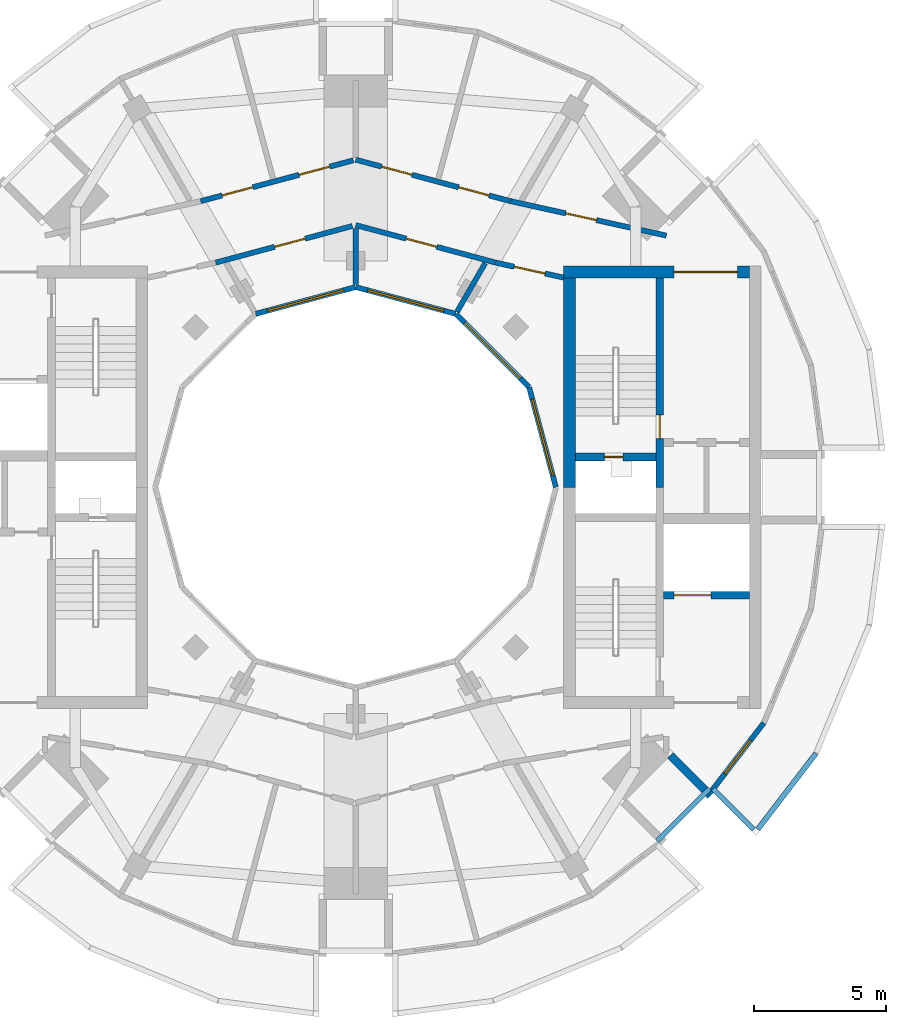
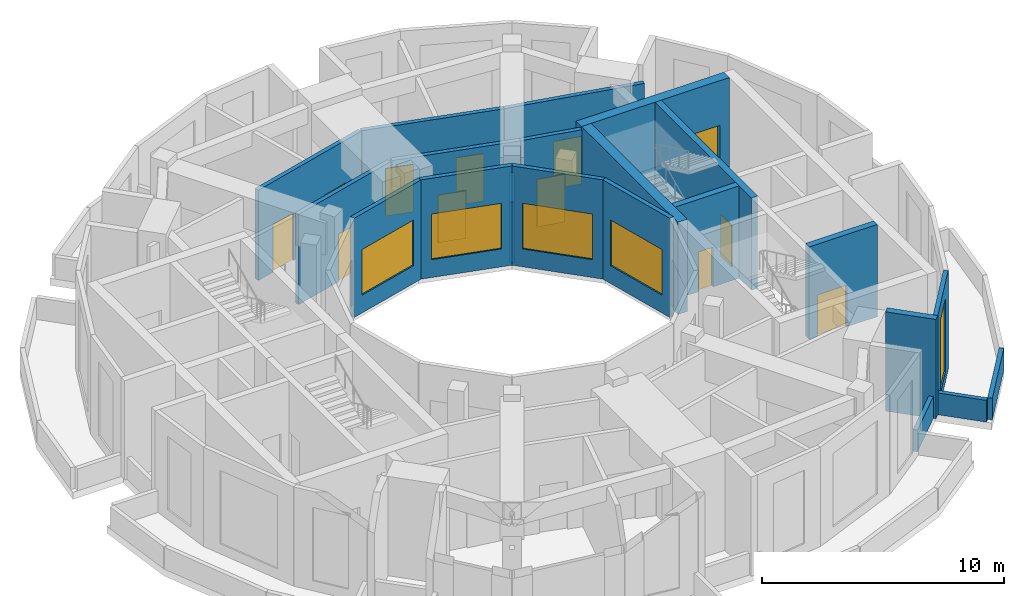
# One storey, part 5 of 8: 22 walls, 12 doors, 5 windows, 17 openings.
"""IFC4 building model written with IfcOpenShell, lengths in metres."""

import ifcopenshell
import ifcopenshell.guid

model = None  # the IFC model being written
_history = None  # IfcOwnerHistory: only IFC2X3 demands one
_inside = {}  # id of a spatial element -> (the spatial element, [elements in it])
_under = {}  # id of a project, library or spatial element -> (it, [spatial elements below it])
_declared = {}  # id of a project -> (the project, [libraries it declares])
_typed = {}  # id of a type object -> (the type object, [elements of that type])
_made_of = {}  # id of a material, layer set ... -> (it, [elements and type objects made of it])


def new_model(schema):
    """Start an empty IFC model of exactly this schema.

    Asked for "IFC4X3", IfcOpenShell would pick the latest addendum, in which some entities
    have other attributes; the version numbers below select the first issue.
    IFC2X3 requires an IfcOwnerHistory on every rooted entity: one is made here for all.
    """
    global model, _history
    if schema == "IFC4X3":
        model = ifcopenshell.file(schema_version=(4, 3, 0, 0))
    else:
        model = ifcopenshell.file(schema=schema)
    _inside.clear()
    _under.clear()
    _declared.clear()
    _typed.clear()
    _made_of.clear()
    _history = None
    if model.schema == "IFC2X3":
        org = make("IfcOrganization", Name="unknown")
        user = make(
            "IfcPersonAndOrganization",
            ThePerson=make("IfcPerson", FamilyName="unknown"),
            TheOrganization=org,
        )
        app = make(
            "IfcApplication",
            ApplicationDeveloper=org,
            Version="unknown",
            ApplicationFullName="unknown",
            ApplicationIdentifier="unknown",
        )
        _history = make(
            "IfcOwnerHistory",
            OwningUser=user,
            OwningApplication=app,
            ChangeAction="ADDED",
            CreationDate=0,
        )
    return model


def make(cls, **values):
    """One entity of the class cls with the attributes given. An attribute that is None is left unset."""
    return model.create_entity(
        cls, **{name: value for name, value in values.items() if value is not None}
    )


def rooted(cls, **values):
    """An entity with a GlobalId (a new one), such as an element, a storey or a relation."""
    return make(cls, GlobalId=ifcopenshell.guid.new(), OwnerHistory=_history, **values)


def si_unit(unit_type, name, prefix=None):
    """IfcSIUnit, for example si_unit("LENGTHUNIT", "METRE", prefix="MILLI")."""
    return make("IfcSIUnit", UnitType=unit_type, Prefix=prefix, Name=name)


def assignment(units):
    """IfcUnitAssignment: the units of a project."""
    return None if units is None else make("IfcUnitAssignment", Units=units)


def point(xyz):
    """IfcCartesianPoint."""
    return None if xyz is None else make("IfcCartesianPoint", Coordinates=xyz)


def direction(xyz):
    """IfcDirection."""
    return None if xyz is None else make("IfcDirection", DirectionRatios=xyz)


def frame(location, z_axis=None, x_axis=None):
    """IfcAxis2Placement3D, a coordinate frame: its origin and axes. An axis left out is left unset."""
    return make(
        "IfcAxis2Placement3D",
        Location=point(location),
        Axis=direction(z_axis),
        RefDirection=direction(x_axis),
    )


def frame_2d(location, x_axis=None):
    """IfcAxis2Placement2D, a coordinate frame in the plane: its origin and x axis."""
    return make(
        "IfcAxis2Placement2D", Location=point(location), RefDirection=direction(x_axis)
    )


def origin():
    """The frame at (0, 0, 0) with its axes left unset."""
    return frame((0.0, 0.0, 0.0))


def place(relative_to, where):
    """IfcLocalPlacement: puts the frame where relative to a parent placement (None: the world)."""
    return make(
        "IfcLocalPlacement", PlacementRelTo=relative_to, RelativePlacement=where
    )


def context(
    kind, dimensions, precision=None, world=None, true_north=None, identifier=None
):
    """IfcGeometricRepresentationContext, for example the 3D "Model" context."""
    return make(
        "IfcGeometricRepresentationContext",
        ContextIdentifier=identifier,
        ContextType=kind,
        CoordinateSpaceDimension=dimensions,
        Precision=precision,
        WorldCoordinateSystem=world,
        TrueNorth=true_north,
    )


def subcontext(parent, identifier, kind, view, scale=None):
    """IfcGeometricRepresentationSubContext, for example "Body" below "Model"."""
    return make(
        "IfcGeometricRepresentationSubContext",
        ContextIdentifier=identifier,
        ContextType=kind,
        ParentContext=parent,
        TargetScale=scale,
        TargetView=view,
    )


def project(units=None, contexts=None):
    """IfcProject with its units and contexts."""
    return rooted(
        "IfcProject",
        Name="project",
        RepresentationContexts=contexts,
        UnitsInContext=assignment(units),
    )


def spatial(cls, under=None, at=None, **own):
    """A site, building, storey or space (cls), placed at a placement, below another one or the project."""
    s = rooted(cls, ObjectPlacement=at, **own)
    if under is not None:
        _under.setdefault(under.id(), (under, []))[1].append(s)
    return s


def profile(cls, at=None, kind="AREA", **sizes):
    """A parametric profile (cls). Its sizes go by their IFC names, for example OverallWidth=200.0."""
    return make(cls, ProfileType=kind, Position=at, **sizes)


def rectangle(**sizes):
    """IfcRectangleProfileDef."""
    return profile("IfcRectangleProfileDef", **sizes)


def extrude(swept, where, along, depth):
    """IfcExtrudedAreaSolid: the profile swept, set in the frame where, extruded along a direction by depth."""
    return make(
        "IfcExtrudedAreaSolid",
        SweptArea=swept,
        Position=where,
        ExtrudedDirection=direction(along),
        Depth=depth,
    )


def shape(context_of_items, identifier, shape_type, items):
    """IfcShapeRepresentation: the items that make up one representation, for example the "Body"."""
    return make(
        "IfcShapeRepresentation",
        ContextOfItems=context_of_items,
        RepresentationIdentifier=identifier,
        RepresentationType=shape_type,
        Items=items,
    )


def material(Name=None, Category=None):
    """IfcMaterial."""
    return make("IfcMaterial", Name=Name, Category=Category)


def layer(
    of_material, thickness, ventilated=None, Name=None, Category=None, Priority=None
):
    """IfcMaterialLayer: one layer of a wall or slab, of a material (None: an air gap)."""
    return make(
        "IfcMaterialLayer",
        Material=of_material,
        LayerThickness=thickness,
        IsVentilated=ventilated,
        Name=Name,
        Category=Category,
        Priority=Priority,
    )


def layer_set(layers, Name=None):
    """IfcMaterialLayerSet."""
    return make("IfcMaterialLayerSet", MaterialLayers=layers, LayerSetName=Name)


def made_of(thing, what):
    """Note that an element or type object is made of a material, layer set ...; save() writes the relation."""
    if what is not None:
        _made_of.setdefault(what.id(), (what, []))[1].append(thing)
    return thing


def type_object(cls, material=None, **own):
    """A type object (cls), such as IfcWallType, which elements share."""
    return made_of(rooted(cls, **own), material)


def element(
    cls,
    number,
    at=None,
    inside=None,
    cuts=None,
    type_object=None,
    material=None,
    context=None,
    identifier="Body",
    shape_type=None,
    held_by="IfcProductDefinitionShape",
    body=None,
    shapes=None,
    **own,
):
    """One element of the class cls, such as IfcWall. Its Tag is "e" and its number.

    at: its placement. inside: the storey or other place that contains it. cuts: it is an
    opening in that element (IfcRelVoidsElement). A single representation is given by context,
    identifier, shape_type and body (its items); several are given by shapes. held_by: the class
    of the entity that holds the representations. save() writes the other relations.
    """
    e = rooted(cls, Tag="e%d" % number, ObjectPlacement=at, **own)
    if body is not None:
        shapes = [shape(context, identifier, shape_type, body)]
    if shapes is not None:
        e.Representation = make(held_by, Representations=shapes)
    if inside is not None:
        _inside.setdefault(inside.id(), (inside, []))[1].append(e)
    if cuts is not None:
        rooted(
            "IfcRelVoidsElement", RelatingBuildingElement=cuts, RelatedOpeningElement=e
        )
    if type_object is not None:
        _typed.setdefault(type_object.id(), (type_object, []))[1].append(e)
    return made_of(e, material)


def fill(opening, filler):
    """IfcRelFillsElement: the door or window that sits in an opening."""
    return rooted(
        "IfcRelFillsElement",
        RelatingOpeningElement=opening,
        RelatedBuildingElement=filler,
    )


def aggregate(whole, parts):
    """IfcRelAggregates: a whole, such as a stair, and the parts it consists of."""
    return rooted("IfcRelAggregates", RelatingObject=whole, RelatedObjects=parts)


def save(model, path):
    """Write the relations noted so far, then the file.

    IfcRelAggregates (storeys below a building ...), IfcRelContainedInSpatialStructure (elements
    in a storey), IfcRelDefinesByType, IfcRelAssociatesMaterial and IfcRelDeclares: one each for
    every whole, place, type object, material and project.
    """
    for whole, parts in _under.values():
        aggregate(whole, parts)
    for where, things in _inside.values():
        rooted(
            "IfcRelContainedInSpatialStructure",
            RelatedElements=things,
            RelatingStructure=where,
        )
    for kind, things in _typed.values():
        rooted("IfcRelDefinesByType", RelatedObjects=things, RelatingType=kind)
    for what, things in _made_of.values():
        rooted("IfcRelAssociatesMaterial", RelatedObjects=things, RelatingMaterial=what)
    for by, libraries in _declared.values():
        rooted("IfcRelDeclares", RelatingContext=by, RelatedDefinitions=libraries)
    model.write(path)


model = new_model("IFC4")

# Units and contexts
model_context = context("Model", 3, precision=1e-05, world=origin(), true_north=direction((0.0, 1.0)))
body_context = subcontext(model_context, "Body", "Model", "MODEL_VIEW")
ifc_project = project(units=[si_unit("LENGTHUNIT", "METRE"), si_unit("AREAUNIT", "SQUARE_METRE"), si_unit("VOLUMEUNIT", "CUBIC_METRE"), si_unit("PLANEANGLEUNIT", "RADIAN"), si_unit("MASSUNIT", "GRAM", prefix="KILO")], contexts=[model_context])

# Site, building, storey
site_placement = place(None, origin())
site = spatial("IfcSite", under=ifc_project, at=site_placement, CompositionType="ELEMENT")
building_placement = place(site_placement, origin())
building = spatial("IfcBuilding", under=site, at=building_placement, Name="Torre Brocal", CompositionType="ELEMENT")
storey_placement = place(building_placement, frame((0.0, 0.0, 328.10009765625)))
storey = spatial("IfcBuildingStorey", under=building, at=storey_placement, Name="L75", CompositionType="ELEMENT", Elevation=328.10009765625)

# Wall, opening, door
ifc_material_1 = material(Name="Concrete C50", Category="concrete")
ifc_layer_1 = layer(ifc_material_1, 0.300048828125)
ifc_layer_set_1 = layer_set([ifc_layer_1], Name="Concrete C50")
wall_type_1 = type_object("IfcWallType", Name="CORE WALL 300 C50 UNDER 350 SLAB", PredefinedType="SHEAR", material=ifc_layer_set_1)
wall_1_placement = place(storey_placement, frame((91.550048828125, 75.0, 0.0), z_axis=(0.0, 0.0, 1.0), x_axis=(0.0, 1.0, 0.0)))
wall_1 = element("IfcWall", 1, at=wall_1_placement, inside=storey, type_object=wall_type_1, Name="Wall CW300-50-S350", PredefinedType="SHEAR", context=body_context, shape_type="SweptSolid", body=[
    extrude(rectangle(XDim=7.949951171875, YDim=0.300048828125, at=frame_2d((3.97509765625, 0.0))), origin(), (0.0, 0.0, 1.0), 4.64990234375),
])
opening_1_placement = place(wall_1_placement, frame((1.85009765625, 0.0, 0.0)))
opening_1 = element("IfcOpeningElement", 2, at=opening_1_placement, cuts=wall_1, Name="Opening E-D02", PredefinedType="OPENING", context=body_context, shape_type="SweptSolid", body=[
    extrude(rectangle(XDim=0.89990234375, YDim=2.10009765625, at=frame_2d((0.449951171875, 1.050048828125))), frame((0.0, 0.159912109375, 0.0), z_axis=(0.0, -1.0, 0.0), x_axis=(1.0, 0.0, 0.0)), (0.0, 0.0, 1.0), 0.320068359375),
])
ifc_material_2 = material(Name="Steel A653", Category="steel")
door_type_1 = type_object("IfcDoorType", Name="STAIR DOOR FD120 900X2100", OperationType="SINGLE_SWING_RIGHT", PredefinedType="DOOR", material=ifc_material_2)
door_1_placement = place(opening_1_placement, origin())
door_1 = element("IfcDoor", 3, at=door_1_placement, inside=storey, type_object=door_type_1, Name="Door E-D02", OperationType="SINGLE_SWING_LEFT", OverallHeight=2.10009765625, OverallWidth=0.89990234375, PredefinedType="DOOR", context=body_context, shape_type="SweptSolid", body=[
    extrude(rectangle(XDim=0.89990234375, YDim=2.10009765625, at=frame_2d((0.449951171875, 1.050048828125))), frame((0.0, 0.02490234375, 0.0), z_axis=(0.0, -1.0, 0.0), x_axis=(1.0, 0.0, 0.0)), (0.0, 0.0, 1.0), 0.050048828125),
])
fill(opening_1, door_1)

wall_2_placement = place(storey_placement, frame((88.35009765625, 76.14990234375, 0.0), z_axis=(0.0, 0.0, 1.0), x_axis=(1.0, 0.0, 0.0)))
wall_2 = element("IfcWall", 4, at=wall_2_placement, inside=storey, type_object=wall_type_1, Name="Wall CW300-50-S350", PredefinedType="SHEAR", context=body_context, shape_type="SweptSolid", body=[
    extrude(rectangle(XDim=3.0498046875, YDim=0.300048828125, at=frame_2d((1.52490234375, 0.0))), origin(), (0.0, 0.0, 1.0), 4.64990234375),
])
opening_2_placement = place(wall_2_placement, frame((1.10009765625, 0.0, 0.0)))
opening_2 = element("IfcOpeningElement", 5, at=opening_2_placement, cuts=wall_2, Name="Opening E-D01", PredefinedType="OPENING", context=body_context, shape_type="SweptSolid", body=[
    extrude(rectangle(XDim=0.699951171875, YDim=2.0, at=frame_2d((0.35009765625, 1.0))), frame((0.0, 0.159912109375, 0.0), z_axis=(0.0, -1.0, 0.0), x_axis=(1.0, 0.0, 0.0)), (0.0, 0.0, 1.0), 0.320068359375),
])
ifc_material_3 = material(Name="Steel A653", Category="steel")
door_type_2 = type_object("IfcDoorType", Name="RISER DOOR FD120 700X2000", OperationType="SINGLE_SWING_LEFT", PredefinedType="DOOR", material=ifc_material_3)
door_2_placement = place(opening_2_placement, frame((0.699951171875, 0.0, 0.0), z_axis=(0.0, 0.0, 1.0), x_axis=(-1.0, 0.0, 0.0)))
door_2 = element("IfcDoor", 6, at=door_2_placement, inside=storey, type_object=door_type_2, Name="Door E-D01", OperationType="SINGLE_SWING_RIGHT", OverallHeight=2.0, OverallWidth=0.699951171875, PredefinedType="DOOR", context=body_context, shape_type="SweptSolid", body=[
    extrude(rectangle(XDim=0.699951171875, YDim=2.0, at=frame_2d((0.35009765625, 1.0))), frame((0.0, 0.02490234375, 0.0), z_axis=(0.0, -1.0, 0.0), x_axis=(1.0, 0.0, 0.0)), (0.0, 0.0, 1.0), 0.050048828125),
])
fill(opening_2, door_2)

wall_3_placement = place(storey_placement, frame((91.699951171875, 70.89990234375, 0.0), z_axis=(0.0, 0.0, 1.0), x_axis=(1.0, 0.0, 0.0)))
wall_3 = element("IfcWall", 7, at=wall_3_placement, inside=storey, type_object=wall_type_1, Name="Wall CW300-50-S350", PredefinedType="SHEAR", context=body_context, shape_type="SweptSolid", body=[
    extrude(rectangle(XDim=3.25, YDim=0.300048828125, at=frame_2d((1.625, 0.0))), origin(), (0.0, 0.0, 1.0), 4.64990234375),
])
opening_3_placement = place(wall_3_placement, frame((0.39990234375, 0.0, 0.0)))
opening_3 = element("IfcOpeningElement", 8, at=opening_3_placement, cuts=wall_3, Name="Opening LD14", PredefinedType="OPENING", context=body_context, shape_type="SweptSolid", body=[
    extrude(rectangle(XDim=1.39990234375, YDim=2.10009765625, at=frame_2d((0.699951171875, 1.050048828125))), frame((0.0, 0.159912109375, 0.0), z_axis=(0.0, -1.0, 0.0), x_axis=(1.0, 0.0, 0.0)), (0.0, 0.0, 1.0), 0.320068359375),
])
ifc_material_4 = material(Name="Stainless steel AISI 316", Category="steel")
door_type_3 = type_object("IfcDoorType", Name="LIFT LANDING DOOR 1400X2100", OperationType="DOUBLE_DOOR_SLIDING", PredefinedType="DOOR", material=ifc_material_4)
door_3_placement = place(opening_3_placement, origin())
door_3 = element("IfcDoor", 9, at=door_3_placement, inside=storey, type_object=door_type_3, Name="Door LD14", OperationType="DOUBLE_DOOR_SLIDING", OverallHeight=2.10009765625, OverallWidth=1.39990234375, PredefinedType="DOOR", context=body_context, shape_type="SweptSolid", body=[
    extrude(rectangle(XDim=1.39990234375, YDim=2.10009765625, at=frame_2d((0.699951171875, 1.050048828125))), frame((0.0, 0.02490234375, 0.0), z_axis=(0.0, -1.0, 0.0), x_axis=(1.0, 0.0, 0.0)), (0.0, 0.0, 1.0), 0.050048828125),
])
fill(opening_3, door_3)

ifc_material_5 = material(Name="Concrete C50", Category="concrete")
ifc_layer_2 = layer(ifc_material_5, 0.449951171875)
ifc_layer_set_2 = layer_set([ifc_layer_2], Name="Concrete C50")
wall_type_2 = type_object("IfcWallType", Name="CORE WALL 450 C50 UNDER 350 SLAB", PredefinedType="SHEAR", material=ifc_layer_set_2)
wall_4_placement = place(storey_placement, frame((87.89990234375, 83.175048828125, 0.0), z_axis=(0.0, 0.0, 1.0), x_axis=(1.0, 0.0, 0.0)))
wall_4 = element("IfcWall", 10, at=wall_4_placement, inside=storey, type_object=wall_type_2, Name="Wall CW450-50-S350", PredefinedType="SHEAR", context=body_context, shape_type="SweptSolid", body=[
    extrude(rectangle(XDim=7.050048828125, YDim=0.449951171875, at=frame_2d((3.52490234375, 0.0))), origin(), (0.0, 0.0, 1.0), 4.64990234375),
])
opening_4_placement = place(wall_4_placement, frame((4.199951171875, 0.0, 0.0)))
opening_4 = element("IfcOpeningElement", 11, at=opening_4_placement, cuts=wall_4, Name="Opening E-D23", PredefinedType="OPENING", context=body_context, shape_type="SweptSolid", body=[
    extrude(rectangle(XDim=2.39990234375, YDim=2.39990234375, at=frame_2d((1.199951171875, 1.199951171875))), frame((0.0, 0.23486328125, 0.0), z_axis=(0.0, -1.0, 0.0), x_axis=(1.0, 0.0, 0.0)), (0.0, 0.0, 1.0), 0.469970703125),
])
ifc_material_6 = material(Name="Steel A653", Category="steel")
door_type_4 = type_object("IfcDoorType", Name="DOUBLE FIRE DOOR FD90 2400X2400", OperationType="DOUBLE_DOOR_SINGLE_SWING", PredefinedType="DOOR", material=ifc_material_6)
door_4_placement = place(opening_4_placement, frame((2.39990234375, 0.0, 0.0), z_axis=(0.0, 0.0, 1.0), x_axis=(-1.0, 0.0, 0.0)))
door_4 = element("IfcDoor", 12, at=door_4_placement, inside=storey, type_object=door_type_4, Name="Door E-D23", OperationType="DOUBLE_DOOR_SINGLE_SWING", OverallHeight=2.39990234375, OverallWidth=2.39990234375, PredefinedType="DOOR", context=body_context, shape_type="SweptSolid", body=[
    extrude(rectangle(XDim=2.39990234375, YDim=2.39990234375, at=frame_2d((1.199951171875, 1.199951171875))), frame((0.0, 0.02490234375, 0.0), z_axis=(0.0, -1.0, 0.0), x_axis=(1.0, 0.0, 0.0)), (0.0, 0.0, 1.0), 0.050048828125),
])
fill(opening_4, door_4)

# Wall
wall_5_placement = place(storey_placement, frame((88.125, 75.0, 0.0), z_axis=(0.0, 0.0, 1.0), x_axis=(0.0, 1.0, 0.0)))
element("IfcWall", 13, at=wall_5_placement, inside=storey, type_object=wall_type_2, Name="Wall CW450-50-S350", PredefinedType="SHEAR", context=body_context, shape_type="SweptSolid", body=[
    extrude(rectangle(XDim=7.949951171875, YDim=0.449951171875, at=frame_2d((3.97509765625, 0.0))), origin(), (0.0, 0.0, 1.0), 4.64990234375),
])

# Wall, opening, window
ifc_material_7 = material(Name="Concrete C40", Category="concrete")
ifc_layer_3 = layer(ifc_material_7, 0.199951171875)
ifc_layer_set_3 = layer_set([ifc_layer_3], Name="Concrete C40")
wall_type_3 = type_object("IfcWallType", Name="LOUVRED PLANT WALL 200", PredefinedType="NOTDEFINED", material=ifc_layer_set_3)
wall_6_placement = place(storey_placement, frame((93.51611328125, 63.463623046875, 0.0), z_axis=(0.0, 0.0, 1.0), x_axis=(0.608780431243, 0.793338759003, 0.0)))
wall_6 = element("IfcWall", 14, at=wall_6_placement, inside=storey, type_object=wall_type_3, Name="LOUVRED PLANT WALL", PredefinedType="NOTDEFINED", context=body_context, shape_type="SweptSolid", body=[
    extrude(rectangle(XDim=3.2607421875, YDim=0.199951171875, at=frame_2d((1.63037109375, 0.0))), origin(), (0.0, 0.0, 1.0), 5.0),
])
opening_5_placement = place(wall_6_placement, frame((0.830322265625, 0.0, 0.5)))
opening_5 = element("IfcOpeningElement", 15, at=opening_5_placement, cuts=wall_6, Name="Opening LV-1600-3700", PredefinedType="OPENING", context=body_context, shape_type="SweptSolid", body=[
    extrude(rectangle(XDim=1.60009765625, YDim=3.699951171875, at=frame_2d((0.800048828125, 1.85009765625))), frame((0.0, 0.10986328125, 0.0), z_axis=(0.0, -1.0, 0.0), x_axis=(1.0, 0.0, 0.0)), (0.0, 0.0, 1.0), 0.219970703125),
])
ifc_material_8 = material(Name="Aluminium louvre", Category="aluminium")
window_type_1 = type_object("IfcWindowType", Name="LOUVRE PANEL 1600X3700", PartitioningType="SINGLE_PANEL", PredefinedType="USERDEFINED", material=ifc_material_8)
window_1_placement = place(opening_5_placement, origin())
window_1 = element("IfcWindow", 16, at=window_1_placement, inside=storey, type_object=window_type_1, Name="LOUVRE PANEL 1600X3700", ObjectType="LOUVRE", OverallHeight=3.699951171875, OverallWidth=1.60009765625, PartitioningType="SINGLE_PANEL", PredefinedType="USERDEFINED", context=body_context, shape_type="SweptSolid", body=[
    extrude(rectangle(XDim=1.60009765625, YDim=3.699951171875, at=frame_2d((0.800048828125, 1.85009765625))), frame((0.0, 0.030029296875, 0.0), z_axis=(0.0, -1.0, 0.0), x_axis=(1.0, 0.0, 0.0)), (0.0, 0.0, 1.0), 0.06005859375),
])
fill(opening_5, window_1)

# Walls
ifc_material_9 = material(Name="Concrete C50", Category="concrete")
ifc_layer_4 = layer(ifc_material_9, 0.300048828125)
ifc_layer_set_4 = layer_set([ifc_layer_4], Name="Concrete C50")
wall_type_4 = type_object("IfcWallType", Name="NOTCH RETURN WALL 300 C50", PredefinedType="NOTDEFINED", material=ifc_layer_set_4)
wall_7_placement = place(storey_placement, frame((91.9501953125, 64.817626953125, 0.0), z_axis=(0.0, 0.0, 1.0), x_axis=(0.707106781187, -0.707106781187, 0.0)))
element("IfcWall", 17, at=wall_7_placement, inside=storey, type_object=wall_type_4, Name="NOTCH RETURN WALL", PredefinedType="NOTDEFINED", context=body_context, shape_type="SweptSolid", body=[
    extrude(rectangle(XDim=2.16552734375, YDim=0.300048828125, at=frame_2d((1.082763671875, 0.0))), origin(), (0.0, 0.0, 1.0), 5.0),
])
ifc_material_10 = material(Name="Concrete C40", Category="concrete")
ifc_layer_5 = layer(ifc_material_10, 0.199951171875)
ifc_layer_set_5 = layer_set([ifc_layer_5], Name="Concrete C40")
wall_type_5 = type_object("IfcWallType", Name="PARAPET WALL 200 THICK 1100 HIGH 4", PredefinedType="PARAPET", material=ifc_layer_set_5)
wall_8_placement = place(storey_placement, frame((97.4833984375, 64.890869140625, 0.0), z_axis=(0.0, 0.0, 1.0), x_axis=(-0.608739102217, -0.793370471742, 0.0)))
element("IfcWall", 18, at=wall_8_placement, inside=storey, type_object=wall_type_5, Name="PARAPET WALL 8", PredefinedType="PARAPET", context=body_context, shape_type="SweptSolid", body=[
    extrude(rectangle(XDim=3.63232421875, YDim=0.199951171875, at=frame_2d((1.816162109375, 0.0))), origin(), (0.0, 0.0, 1.0), 1.099853515625),
])
wall_9_placement = place(storey_placement, frame((95.1220703125, 61.999267578125, 0.0), z_axis=(0.0, 0.0, 1.0), x_axis=(-0.707106781187, 0.707106781187, 0.0)))
element("IfcWall", 19, at=wall_9_placement, inside=storey, type_object=wall_type_5, Name="PARAPET WALL 9", PredefinedType="PARAPET", context=body_context, shape_type="SweptSolid", body=[
    extrude(rectangle(XDim=2.185791015625, YDim=0.199951171875, at=frame_2d((1.0927734375, 0.0))), origin(), (0.0, 0.0, 1.0), 1.099853515625),
])
wall_10_placement = place(storey_placement, frame((93.43505859375, 63.544921875, 0.0), z_axis=(0.0, 0.0, 1.0), x_axis=(-0.707106781187, -0.707106781187, 0.0)))
element("IfcWall", 20, at=wall_10_placement, inside=storey, type_object=wall_type_5, Name="PARAPET WALL 10", PredefinedType="PARAPET", context=body_context, shape_type="SweptSolid", body=[
    extrude(rectangle(XDim=2.800048828125, YDim=0.199951171875, at=frame_2d((1.39990234375, 0.0))), origin(), (0.0, 0.0, 1.0), 1.099853515625),
])

# Wall, openings, doors
ifc_material_11 = material(Name="Masonry block", Category="masonry")
ifc_layer_6 = layer(ifc_material_11, 0.199951171875)
ifc_layer_set_6 = layer_set([ifc_layer_6], Name="Masonry block")
wall_type_6 = type_object("IfcWallType", Name="PARTITION 200 EI120", PredefinedType="PARTITIONING", material=ifc_layer_set_6)
wall_11_placement = place(storey_placement, frame((74.114990234375, 85.8662109375, 0.0), z_axis=(0.0, 0.0, 1.0), x_axis=(0.965971827496, 0.258647305194, 0.0)))
wall_11 = element("IfcWall", 21, at=wall_11_placement, inside=storey, type_object=wall_type_6, Name="PLANT ROOM WALL", PredefinedType="PARTITIONING", context=body_context, shape_type="SweptSolid", body=[
    extrude(rectangle(XDim=6.00244140625, YDim=0.199951171875, at=frame_2d((3.001220703125, 0.0))), origin(), (0.0, 0.0, 1.0), 4.5498046875),
])
opening_6_placement = place(wall_11_placement, frame((3.872314453125, 0.0, 0.0)))
opening_6 = element("IfcOpeningElement", 22, at=opening_6_placement, cuts=wall_11, Name="Opening X4-D04", PredefinedType="OPENING", context=body_context, shape_type="SweptSolid", body=[
    extrude(rectangle(XDim=1.199951171875, YDim=2.39990234375, at=frame_2d((0.60009765625, 1.199951171875))), frame((0.0, 0.10986328125, 0.0), z_axis=(0.0, -1.0, 0.0), x_axis=(1.0, 0.0, 0.0)), (0.0, 0.0, 1.0), 0.219970703125),
])
opening_7_placement = place(wall_11_placement, frame((0.845703125, 0.0, 0.0)))
opening_7 = element("IfcOpeningElement", 23, at=opening_7_placement, cuts=wall_11, Name="Opening X4-D05", PredefinedType="OPENING", context=body_context, shape_type="SweptSolid", body=[
    extrude(rectangle(XDim=1.199951171875, YDim=2.39990234375, at=frame_2d((0.60009765625, 1.199951171875))), frame((0.0, 0.10986328125, 0.0), z_axis=(0.0, -1.0, 0.0), x_axis=(1.0, 0.0, 0.0)), (0.0, 0.0, 1.0), 0.219970703125),
])
ifc_material_12 = material(Name="Steel A653", Category="steel")
door_type_5 = type_object("IfcDoorType", Name="PLANT DOOR FD90 1200X2400", OperationType="SINGLE_SWING_RIGHT", PredefinedType="DOOR", material=ifc_material_12)
door_5_placement = place(opening_6_placement, origin())
door_5 = element("IfcDoor", 24, at=door_5_placement, inside=storey, type_object=door_type_5, Name="X4-D04", OperationType="SINGLE_SWING_LEFT", OverallHeight=2.39990234375, OverallWidth=1.199951171875, PredefinedType="DOOR", context=body_context, shape_type="SweptSolid", body=[
    extrude(rectangle(XDim=1.199951171875, YDim=2.39990234375, at=frame_2d((0.60009765625, 1.199951171875))), frame((0.0, 0.02490234375, 0.0), z_axis=(0.0, -1.0, 0.0), x_axis=(1.0, 0.0, 0.0)), (0.0, 0.0, 1.0), 0.050048828125),
])
fill(opening_6, door_5)
door_6_placement = place(opening_7_placement, origin())
door_6 = element("IfcDoor", 25, at=door_6_placement, inside=storey, type_object=door_type_5, Name="X4-D05", OperationType="SINGLE_SWING_RIGHT", OverallHeight=2.39990234375, OverallWidth=1.199951171875, PredefinedType="DOOR", context=body_context, shape_type="SweptSolid", body=[
    extrude(rectangle(XDim=1.199951171875, YDim=2.39990234375, at=frame_2d((0.60009765625, 1.199951171875))), frame((0.0, 0.02490234375, 0.0), z_axis=(0.0, -1.0, 0.0), x_axis=(1.0, 0.0, 0.0)), (0.0, 0.0, 1.0), 0.050048828125),
])
fill(opening_7, door_6)

# Wall, opening, door
wall_12_placement = place(storey_placement, frame((74.68505859375, 83.532958984375, 0.0), z_axis=(0.0, 0.0, 1.0), x_axis=(0.965946226255, 0.258742899388, 0.0)))
wall_12 = element("IfcWall", 26, at=wall_12_placement, inside=storey, type_object=wall_type_6, Name="PLANT ROOM WALL", PredefinedType="PARTITIONING", context=body_context, shape_type="SweptSolid", body=[
    extrude(rectangle(XDim=5.37255859375, YDim=0.199951171875, at=frame_2d((2.686279296875, 0.0))), origin(), (0.0, 0.0, 1.0), 4.5498046875),
])
opening_8_placement = place(wall_12_placement, frame((2.3154296875, 0.0, 0.0)))
opening_8 = element("IfcOpeningElement", 27, at=opening_8_placement, cuts=wall_12, Name="Opening X4-D09", PredefinedType="OPENING", context=body_context, shape_type="SweptSolid", body=[
    extrude(rectangle(XDim=1.199951171875, YDim=2.39990234375, at=frame_2d((0.60009765625, 1.199951171875))), frame((0.0, 0.10986328125, 0.0), z_axis=(0.0, -1.0, 0.0), x_axis=(1.0, 0.0, 0.0)), (0.0, 0.0, 1.0), 0.219970703125),
])
door_7_placement = place(opening_8_placement, frame((1.199951171875, 0.0, 0.0), z_axis=(0.0, 0.0, 1.0), x_axis=(-1.0, 0.0, 0.0)))
door_7 = element("IfcDoor", 28, at=door_7_placement, inside=storey, type_object=door_type_5, Name="X4-D09", OperationType="SINGLE_SWING_RIGHT", OverallHeight=2.39990234375, OverallWidth=1.199951171875, PredefinedType="DOOR", context=body_context, shape_type="SweptSolid", body=[
    extrude(rectangle(XDim=1.199951171875, YDim=2.39990234375, at=frame_2d((0.60009765625, 1.199951171875))), frame((0.0, 0.02490234375, 0.0), z_axis=(0.0, -1.0, 0.0), x_axis=(1.0, 0.0, 0.0)), (0.0, 0.0, 1.0), 0.050048828125),
])
fill(opening_8, door_7)

wall_13_placement = place(storey_placement, frame((80.0, 84.9580078125, 0.0), z_axis=(0.0, 0.0, 1.0), x_axis=(0.96587918454, -0.258993051784, 0.0)))
wall_13 = element("IfcWall", 29, at=wall_13_placement, inside=storey, type_object=wall_type_6, Name="PLANT ROOM WALL", PredefinedType="PARTITIONING", context=body_context, shape_type="SweptSolid", body=[
    extrude(rectangle(XDim=5.492919921875, YDim=0.199951171875, at=frame_2d((2.74658203125, 0.0))), origin(), (0.0, 0.0, 1.0), 4.5498046875),
])
opening_9_placement = place(wall_13_placement, frame((1.9873046875, 0.0, 0.0)))
opening_9 = element("IfcOpeningElement", 30, at=opening_9_placement, cuts=wall_13, Name="Opening X4-D08", PredefinedType="OPENING", context=body_context, shape_type="SweptSolid", body=[
    extrude(rectangle(XDim=1.199951171875, YDim=2.39990234375, at=frame_2d((0.60009765625, 1.199951171875))), frame((0.0, 0.10986328125, 0.0), z_axis=(0.0, -1.0, 0.0), x_axis=(1.0, 0.0, 0.0)), (0.0, 0.0, 1.0), 0.219970703125),
])
door_8_placement = place(opening_9_placement, frame((1.199951171875, 0.0, 0.0), z_axis=(0.0, 0.0, 1.0), x_axis=(-1.0, 0.0, 0.0)))
door_8 = element("IfcDoor", 31, at=door_8_placement, inside=storey, type_object=door_type_5, Name="X4-D08", OperationType="SINGLE_SWING_LEFT", OverallHeight=2.39990234375, OverallWidth=1.199951171875, PredefinedType="DOOR", context=body_context, shape_type="SweptSolid", body=[
    extrude(rectangle(XDim=1.199951171875, YDim=2.39990234375, at=frame_2d((0.60009765625, 1.199951171875))), frame((0.0, 0.02490234375, 0.0), z_axis=(0.0, -1.0, 0.0), x_axis=(1.0, 0.0, 0.0)), (0.0, 0.0, 1.0), 0.050048828125),
])
fill(opening_9, door_8)

# Wall, openings, doors
wall_14_placement = place(storey_placement, frame((80.0, 87.442138671875, 0.0), z_axis=(0.0, 0.0, 1.0), x_axis=(0.965947872364, -0.25873675401, 0.0)))
wall_14 = element("IfcWall", 32, at=wall_14_placement, inside=storey, type_object=wall_type_6, Name="PLANT ROOM WALL", PredefinedType="PARTITIONING", context=body_context, shape_type="SweptSolid", body=[
    extrude(rectangle(XDim=6.082275390625, YDim=0.199951171875, at=frame_2d((3.041015625, 0.0))), origin(), (0.0, 0.0, 1.0), 4.5498046875),
])
opening_10_placement = place(wall_14_placement, frame((4.046630859375, 0.0, 0.0)))
opening_10 = element("IfcOpeningElement", 33, at=opening_10_placement, cuts=wall_14, Name="Opening X4-D02", PredefinedType="OPENING", context=body_context, shape_type="SweptSolid", body=[
    extrude(rectangle(XDim=1.199951171875, YDim=2.39990234375, at=frame_2d((0.60009765625, 1.199951171875))), frame((0.0, 0.10986328125, 0.0), z_axis=(0.0, -1.0, 0.0), x_axis=(1.0, 0.0, 0.0)), (0.0, 0.0, 1.0), 0.219970703125),
])
opening_11_placement = place(wall_14_placement, frame((1.02001953125, 0.0, 0.0)))
opening_11 = element("IfcOpeningElement", 34, at=opening_11_placement, cuts=wall_14, Name="Opening X4-D03", PredefinedType="OPENING", context=body_context, shape_type="SweptSolid", body=[
    extrude(rectangle(XDim=1.199951171875, YDim=2.39990234375, at=frame_2d((0.60009765625, 1.199951171875))), frame((0.0, 0.10986328125, 0.0), z_axis=(0.0, -1.0, 0.0), x_axis=(1.0, 0.0, 0.0)), (0.0, 0.0, 1.0), 0.219970703125),
])
door_9_placement = place(opening_10_placement, origin())
door_9 = element("IfcDoor", 35, at=door_9_placement, inside=storey, type_object=door_type_5, Name="X4-D02", OperationType="SINGLE_SWING_LEFT", OverallHeight=2.39990234375, OverallWidth=1.199951171875, PredefinedType="DOOR", context=body_context, shape_type="SweptSolid", body=[
    extrude(rectangle(XDim=1.199951171875, YDim=2.39990234375, at=frame_2d((0.60009765625, 1.199951171875))), frame((0.0, 0.02490234375, 0.0), z_axis=(0.0, -1.0, 0.0), x_axis=(1.0, 0.0, 0.0)), (0.0, 0.0, 1.0), 0.050048828125),
])
fill(opening_10, door_9)
door_10_placement = place(opening_11_placement, origin())
door_10 = element("IfcDoor", 36, at=door_10_placement, inside=storey, type_object=door_type_5, Name="X4-D03", OperationType="SINGLE_SWING_RIGHT", OverallHeight=2.39990234375, OverallWidth=1.199951171875, PredefinedType="DOOR", context=body_context, shape_type="SweptSolid", body=[
    extrude(rectangle(XDim=1.199951171875, YDim=2.39990234375, at=frame_2d((0.60009765625, 1.199951171875))), frame((0.0, 0.02490234375, 0.0), z_axis=(0.0, -1.0, 0.0), x_axis=(1.0, 0.0, 0.0)), (0.0, 0.0, 1.0), 0.050048828125),
])
fill(opening_11, door_10)

# Wall, opening, door
wall_15_placement = place(storey_placement, frame((85.31494140625, 83.532958984375, 0.0), z_axis=(0.0, 0.0, 1.0), x_axis=(0.97653518439, -0.215357919867, 0.0)))
wall_15 = element("IfcWall", 37, at=wall_15_placement, inside=storey, type_object=wall_type_6, Name="PLANT ROOM WALL", PredefinedType="PARTITIONING", context=body_context, shape_type="SweptSolid", body=[
    extrude(rectangle(XDim=2.64697265625, YDim=0.199951171875, at=frame_2d((1.323486328125, 0.0))), origin(), (0.0, 0.0, 1.0), 4.5498046875),
])
opening_12_placement = place(wall_15_placement, frame((0.723388671875, 0.0, 0.0)))
opening_12 = element("IfcOpeningElement", 38, at=opening_12_placement, cuts=wall_15, Name="Opening X4-D07", PredefinedType="OPENING", context=body_context, shape_type="SweptSolid", body=[
    extrude(rectangle(XDim=1.199951171875, YDim=2.39990234375, at=frame_2d((0.60009765625, 1.199951171875))), frame((0.0, 0.10986328125, 0.0), z_axis=(0.0, -1.0, 0.0), x_axis=(1.0, 0.0, 0.0)), (0.0, 0.0, 1.0), 0.219970703125),
])
door_11_placement = place(opening_12_placement, frame((1.199951171875, 0.0, 0.0), z_axis=(0.0, 0.0, 1.0), x_axis=(-1.0, 0.0, 0.0)))
door_11 = element("IfcDoor", 39, at=door_11_placement, inside=storey, type_object=door_type_5, Name="X4-D07", OperationType="SINGLE_SWING_LEFT", OverallHeight=2.39990234375, OverallWidth=1.199951171875, PredefinedType="DOOR", context=body_context, shape_type="SweptSolid", body=[
    extrude(rectangle(XDim=1.199951171875, YDim=2.39990234375, at=frame_2d((0.60009765625, 1.199951171875))), frame((0.0, 0.02490234375, 0.0), z_axis=(0.0, -1.0, 0.0), x_axis=(1.0, 0.0, 0.0)), (0.0, 0.0, 1.0), 0.050048828125),
])
fill(opening_12, door_11)

wall_16_placement = place(storey_placement, frame((85.885009765625, 85.8662109375, 0.0), z_axis=(0.0, 0.0, 1.0), x_axis=(0.976458510835, -0.215705300395, 0.0)))
wall_16 = element("IfcWall", 40, at=wall_16_placement, inside=storey, type_object=wall_type_6, Name="PLANT ROOM WALL", PredefinedType="PARTITIONING", context=body_context, shape_type="SweptSolid", body=[
    extrude(rectangle(XDim=6.056396484375, YDim=0.199951171875, at=frame_2d((3.0283203125, 0.0))), origin(), (0.0, 0.0, 1.0), 4.5498046875),
])
opening_13_placement = place(wall_16_placement, frame((2.145751953125, 0.0, 0.0)))
opening_13 = element("IfcOpeningElement", 41, at=opening_13_placement, cuts=wall_16, Name="Opening X4-D01", PredefinedType="OPENING", context=body_context, shape_type="SweptSolid", body=[
    extrude(rectangle(XDim=1.199951171875, YDim=2.39990234375, at=frame_2d((0.60009765625, 1.199951171875))), frame((0.0, 0.10986328125, 0.0), z_axis=(0.0, -1.0, 0.0), x_axis=(1.0, 0.0, 0.0)), (0.0, 0.0, 1.0), 0.219970703125),
])
door_12_placement = place(opening_13_placement, origin())
door_12 = element("IfcDoor", 42, at=door_12_placement, inside=storey, type_object=door_type_5, Name="X4-D01", OperationType="SINGLE_SWING_LEFT", OverallHeight=2.39990234375, OverallWidth=1.199951171875, PredefinedType="DOOR", context=body_context, shape_type="SweptSolid", body=[
    extrude(rectangle(XDim=1.199951171875, YDim=2.39990234375, at=frame_2d((0.60009765625, 1.199951171875))), frame((0.0, 0.02490234375, 0.0), z_axis=(0.0, -1.0, 0.0), x_axis=(1.0, 0.0, 0.0)), (0.0, 0.0, 1.0), 0.050048828125),
])
fill(opening_13, door_12)

# Walls
ifc_material_13 = material(Name="Masonry block", Category="masonry")
ifc_layer_7 = layer(ifc_material_13, 0.199951171875)
ifc_layer_set_7 = layer_set([ifc_layer_7], Name="Masonry block")
wall_type_7 = type_object("IfcWallType", Name="PARTITION 200 EI120 UNDER BEAM 1750", PredefinedType="PARTITIONING", material=ifc_layer_set_7)
wall_17_placement = place(storey_placement, frame((80.0, 82.698974609375, 0.0), z_axis=(0.0, 0.0, 1.0), x_axis=(0.0, 1.0, 0.0)))
element("IfcWall", 43, at=wall_17_placement, inside=storey, type_object=wall_type_7, Name="PLANT ROOM WALL", PredefinedType="PARTITIONING", context=body_context, shape_type="SweptSolid", body=[
    extrude(rectangle(XDim=2.12890625, YDim=0.199951171875, at=frame_2d((1.064453125, 0.0))), origin(), (0.0, 0.0, 1.0), 3.25),
])
ifc_material_14 = material(Name="Masonry block", Category="masonry")
ifc_layer_8 = layer(ifc_material_14, 0.199951171875)
ifc_layer_set_8 = layer_set([ifc_layer_8], Name="Masonry block")
wall_type_8 = type_object("IfcWallType", Name="PARTITION 200 EI120 UNDER BEAM 1950", PredefinedType="PARTITIONING", material=ifc_layer_set_8)
wall_18_placement = place(storey_placement, frame((83.8515625, 81.66552734375, 0.0), z_axis=(0.0, 0.0, 1.0), x_axis=(0.500208817256, 0.865904809514, 0.0)))
element("IfcWall", 44, at=wall_18_placement, inside=storey, type_object=wall_type_8, Name="PLANT ROOM WALL", PredefinedType="PARTITIONING", context=body_context, shape_type="SweptSolid", body=[
    extrude(rectangle(XDim=2.12890625, YDim=0.199951171875, at=frame_2d((1.064453125, 0.0))), origin(), (0.0, 0.0, 1.0), 3.0498046875),
])

# Wall, opening, window
ifc_material_15 = material(Name="Concrete C40", Category="concrete")
ifc_layer_9 = layer(ifc_material_15, 0.199951171875)
ifc_layer_set_9 = layer_set([ifc_layer_9], Name="Concrete C40")
wall_type_9 = type_object("IfcWallType", Name="WELL FACADE WALL 200", PredefinedType="NOTDEFINED", material=ifc_layer_set_9)
wall_19_placement = place(storey_placement, frame((87.603515625, 75.0, 0.0), z_axis=(0.0, 0.0, 1.0), x_axis=(-0.258789828301, 0.965933654434, 0.0)))
wall_19 = element("IfcWall", 45, at=wall_19_placement, inside=storey, type_object=wall_type_9, Name="WELL FACADE WALL", PredefinedType="NOTDEFINED", context=body_context, shape_type="SweptSolid", body=[
    extrude(rectangle(XDim=3.935791015625, YDim=0.199951171875, at=frame_2d((1.9677734375, 0.0))), origin(), (0.0, 0.0, 1.0), 5.0),
])
opening_14_placement = place(wall_19_placement, frame((0.468017578125, 0.0, 0.89990234375)))
opening_14 = element("IfcOpeningElement", 46, at=opening_14_placement, cuts=wall_19, Name="Opening W1", PredefinedType="OPENING", context=body_context, shape_type="SweptSolid", body=[
    extrude(rectangle(XDim=3.0, YDim=2.300048828125, at=frame_2d((1.5, 1.14990234375))), frame((0.0, 0.10986328125, 0.0), z_axis=(0.0, -1.0, 0.0), x_axis=(1.0, 0.0, 0.0)), (0.0, 0.0, 1.0), 0.219970703125),
])
ifc_material_16 = material(Name="Aluminium and glass", Category="aluminium")
window_type_2 = type_object("IfcWindowType", Name="WELL WINDOW 3000X2300", PartitioningType="SINGLE_PANEL", PredefinedType="WINDOW", material=ifc_material_16)
window_2_placement = place(opening_14_placement, origin())
window_2 = element("IfcWindow", 47, at=window_2_placement, inside=storey, type_object=window_type_2, Name="WELL WINDOW 3000X2300", OverallHeight=2.300048828125, OverallWidth=3.0, PartitioningType="SINGLE_PANEL", PredefinedType="WINDOW", context=body_context, shape_type="SweptSolid", body=[
    extrude(rectangle(XDim=3.0, YDim=2.300048828125, at=frame_2d((1.5, 1.14990234375))), frame((0.0, 0.030029296875, 0.0), z_axis=(0.0, -1.0, 0.0), x_axis=(1.0, 0.0, 0.0)), (0.0, 0.0, 1.0), 0.06005859375),
])
fill(opening_14, window_2)

wall_20_placement = place(storey_placement, frame((86.5849609375, 78.8017578125, 0.0), z_axis=(0.0, 0.0, 1.0), x_axis=(-0.707106781187, 0.707106781187, 0.0)))
wall_20 = element("IfcWall", 48, at=wall_20_placement, inside=storey, type_object=wall_type_9, Name="WELL FACADE WALL", PredefinedType="NOTDEFINED", context=body_context, shape_type="SweptSolid", body=[
    extrude(rectangle(XDim=3.93603515625, YDim=0.199951171875, at=frame_2d((1.968017578125, 0.0))), origin(), (0.0, 0.0, 1.0), 5.0),
])
opening_15_placement = place(wall_20_placement, frame((0.468017578125, 0.0, 0.89990234375)))
opening_15 = element("IfcOpeningElement", 49, at=opening_15_placement, cuts=wall_20, Name="Opening W1", PredefinedType="OPENING", context=body_context, shape_type="SweptSolid", body=[
    extrude(rectangle(XDim=3.0, YDim=2.300048828125, at=frame_2d((1.5, 1.14990234375))), frame((0.0, 0.10986328125, 0.0), z_axis=(0.0, -1.0, 0.0), x_axis=(1.0, 0.0, 0.0)), (0.0, 0.0, 1.0), 0.219970703125),
])
window_3_placement = place(opening_15_placement, origin())
window_3 = element("IfcWindow", 50, at=window_3_placement, inside=storey, type_object=window_type_2, Name="WELL WINDOW 3000X2300", OverallHeight=2.300048828125, OverallWidth=3.0, PartitioningType="SINGLE_PANEL", PredefinedType="WINDOW", context=body_context, shape_type="SweptSolid", body=[
    extrude(rectangle(XDim=3.0, YDim=2.300048828125, at=frame_2d((1.5, 1.14990234375))), frame((0.0, 0.030029296875, 0.0), z_axis=(0.0, -1.0, 0.0), x_axis=(1.0, 0.0, 0.0)), (0.0, 0.0, 1.0), 0.06005859375),
])
fill(opening_15, window_3)

wall_21_placement = place(storey_placement, frame((83.8017578125, 81.5849609375, 0.0), z_axis=(0.0, 0.0, 1.0), x_axis=(-0.965933654434, 0.258789828301, 0.0)))
wall_21 = element("IfcWall", 51, at=wall_21_placement, inside=storey, type_object=wall_type_9, Name="WELL FACADE WALL", PredefinedType="NOTDEFINED", context=body_context, shape_type="SweptSolid", body=[
    extrude(rectangle(XDim=3.935791015625, YDim=0.199951171875, at=frame_2d((1.9677734375, 0.0))), origin(), (0.0, 0.0, 1.0), 5.0),
])
opening_16_placement = place(wall_21_placement, frame((0.468017578125, 0.0, 0.89990234375)))
opening_16 = element("IfcOpeningElement", 52, at=opening_16_placement, cuts=wall_21, Name="Opening W1", PredefinedType="OPENING", context=body_context, shape_type="SweptSolid", body=[
    extrude(rectangle(XDim=3.0, YDim=2.300048828125, at=frame_2d((1.5, 1.14990234375))), frame((0.0, 0.10986328125, 0.0), z_axis=(0.0, -1.0, 0.0), x_axis=(1.0, 0.0, 0.0)), (0.0, 0.0, 1.0), 0.219970703125),
])
window_4_placement = place(opening_16_placement, origin())
window_4 = element("IfcWindow", 53, at=window_4_placement, inside=storey, type_object=window_type_2, Name="WELL WINDOW 3000X2300", OverallHeight=2.300048828125, OverallWidth=3.0, PartitioningType="SINGLE_PANEL", PredefinedType="WINDOW", context=body_context, shape_type="SweptSolid", body=[
    extrude(rectangle(XDim=3.0, YDim=2.300048828125, at=frame_2d((1.5, 1.14990234375))), frame((0.0, 0.030029296875, 0.0), z_axis=(0.0, -1.0, 0.0), x_axis=(1.0, 0.0, 0.0)), (0.0, 0.0, 1.0), 0.06005859375),
])
fill(opening_16, window_4)

wall_22_placement = place(storey_placement, frame((80.0, 82.603515625, 0.0), z_axis=(0.0, 0.0, 1.0), x_axis=(-0.965933654434, -0.258789828301, 0.0)))
wall_22 = element("IfcWall", 54, at=wall_22_placement, inside=storey, type_object=wall_type_9, Name="WELL FACADE WALL", PredefinedType="NOTDEFINED", context=body_context, shape_type="SweptSolid", body=[
    extrude(rectangle(XDim=3.935791015625, YDim=0.199951171875, at=frame_2d((1.9677734375, 0.0))), origin(), (0.0, 0.0, 1.0), 5.0),
])
opening_17_placement = place(wall_22_placement, frame((0.468017578125, 0.0, 0.89990234375)))
opening_17 = element("IfcOpeningElement", 55, at=opening_17_placement, cuts=wall_22, Name="Opening W1", PredefinedType="OPENING", context=body_context, shape_type="SweptSolid", body=[
    extrude(rectangle(XDim=3.0, YDim=2.300048828125, at=frame_2d((1.5, 1.14990234375))), frame((0.0, 0.10986328125, 0.0), z_axis=(0.0, -1.0, 0.0), x_axis=(1.0, 0.0, 0.0)), (0.0, 0.0, 1.0), 0.219970703125),
])
window_5_placement = place(opening_17_placement, origin())
window_5 = element("IfcWindow", 56, at=window_5_placement, inside=storey, type_object=window_type_2, Name="WELL WINDOW 3000X2300", OverallHeight=2.300048828125, OverallWidth=3.0, PartitioningType="SINGLE_PANEL", PredefinedType="WINDOW", context=body_context, shape_type="SweptSolid", body=[
    extrude(rectangle(XDim=3.0, YDim=2.300048828125, at=frame_2d((1.5, 1.14990234375))), frame((0.0, 0.030029296875, 0.0), z_axis=(0.0, -1.0, 0.0), x_axis=(1.0, 0.0, 0.0)), (0.0, 0.0, 1.0), 0.06005859375),
])
fill(opening_17, window_5)

save(model, "model.ifc")
